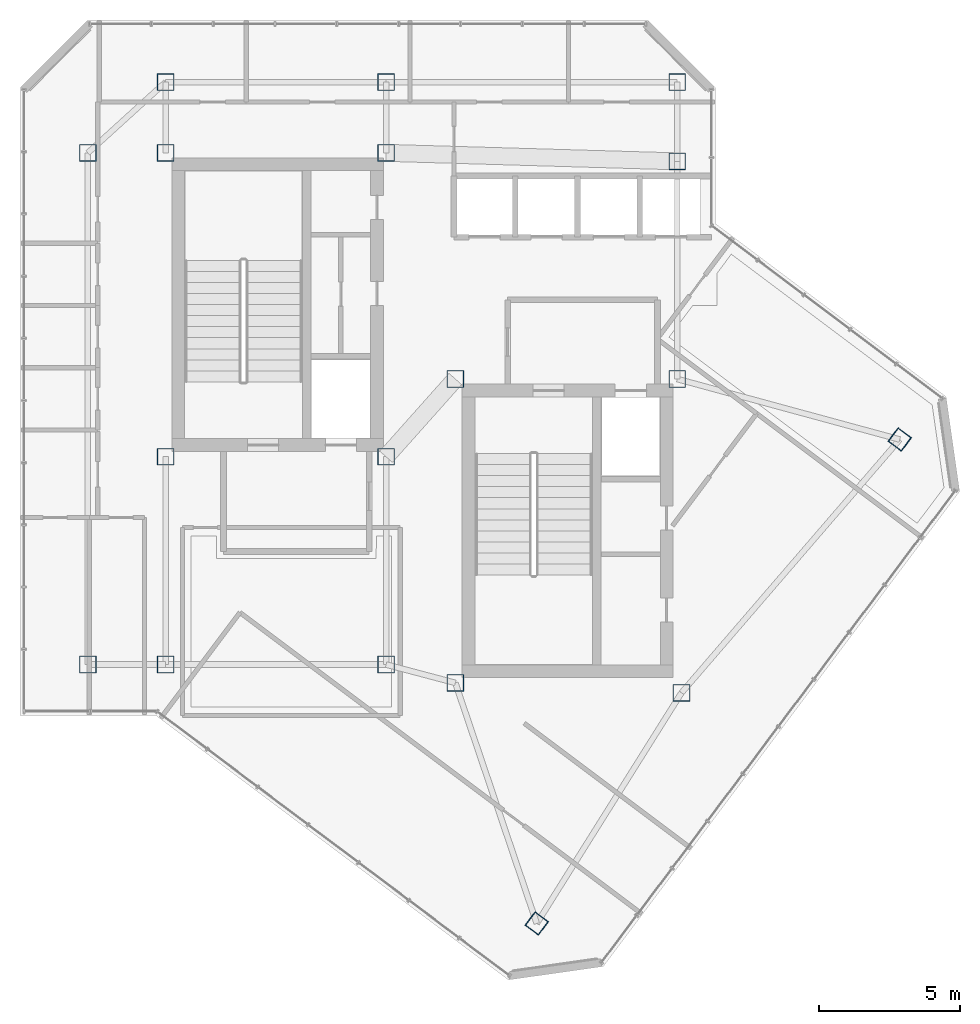
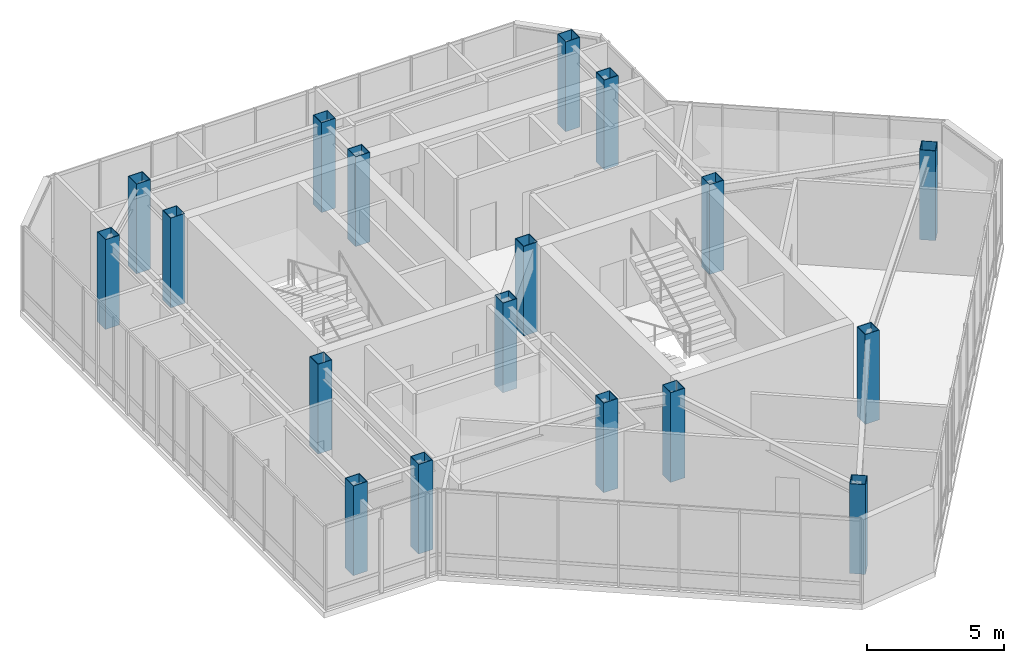
# One storey, part 1 of 29: 18 columns.
"""IFC4 building model written with IfcOpenShell, lengths in metres."""

from ifc_helpers import new_model, si_unit, direction, frame, origin, origin_2d, place, context, subcontext, project, spatial, hollow_rectangle, extrude, material, material_profile, profile_set, type_object, element, save


model = new_model("IFC4")

# Units and contexts
model_context = context("Model", 3, precision=1e-05, world=origin(), true_north=direction((0.0, 1.0)))
body_context = subcontext(model_context, "Body", "Model", "MODEL_VIEW")
ifc_project = project(units=[si_unit("LENGTHUNIT", "METRE"), si_unit("AREAUNIT", "SQUARE_METRE"), si_unit("VOLUMEUNIT", "CUBIC_METRE"), si_unit("PLANEANGLEUNIT", "RADIAN"), si_unit("MASSUNIT", "GRAM", prefix="KILO")], contexts=[model_context])

# Site, building, storey
site_placement = place(None, origin())
site = spatial("IfcSite", under=ifc_project, at=site_placement, CompositionType="ELEMENT")
building_placement = place(site_placement, origin())
building = spatial("IfcBuilding", under=site, at=building_placement, Name="Hatsunagi Terrace Concourse", CompositionType="ELEMENT")
storey_placement = place(building_placement, frame((0.0, 0.0, 277.949951171875)))
storey = spatial("IfcBuildingStorey", under=building, at=storey_placement, Name="L73", CompositionType="ELEMENT", Elevation=277.949951171875)

# Columns
ifc_material = material(Name="Steel BCP325T", Category="steel")
ifc_material_profile = material_profile(ifc_material, hollow_rectangle(XDim=0.60009765625, YDim=0.60009765625, WallThickness=0.02490234375, at=origin_2d()), Name="BCP-600x600x25")
ifc_profile_set = profile_set([ifc_material_profile], Name="Steel BCP325T")
column_type = type_object("IfcColumnType", Name="CrownBoxColumn_600x600x25", PredefinedType="COLUMN", material=ifc_profile_set)
for number, where, z_axis, x_axis, name in (
    (1, (25.550048828125, 32.550048828125, 0.0), (0.0, 0.0, 1.0), (1.0, 0.0, 0.0), "Column C-10 L73-CASW"),
    (2, (33.35009765625, 32.550048828125, 0.0), (0.0, 0.0, 1.0), (1.0, 0.0, 0.0), "Column C-10 L73-CASE"),
    (3, (25.550048828125, 43.300048828125, 0.0), (0.0, 0.0, 1.0), (1.0, 0.0, 0.0), "Column C-10 L73-CANW"),
    (4, (33.35009765625, 43.300048828125, 0.0), (0.0, 0.0, 1.0), (1.0, 0.0, 0.0), "Column C-10 L73-CANE"),
    (5, (35.800048828125, 24.550048828125, 0.0), (0.0, 0.0, 1.0), (1.0, 0.0, 0.0), "Column C-10 L73-CBSW"),
    (6, (43.800048828125, 24.199951171875, 0.0), (0.0, 0.0, 1.0), (1.0, 0.0, 0.0), "Column C-10 L73-CBSE"),
    (7, (35.800048828125, 35.300048828125, 0.0), (0.0, 0.0, 1.0), (1.0, 0.0, 0.0), "Column C-10 L73-CBNW"),
    (8, (43.64990234375, 35.300048828125, 0.0), (0.0, 0.0, 1.0), (1.0, 0.0, 0.0), "Column C-10 L73-CBNE"),
    (9, (25.550048828125, 25.199951171875, 0.0), (0.0, 0.0, 1.0), (1.0, 0.0, 0.0), "Column C-10 L73-K1"),
    (10, (33.35009765625, 25.199951171875, 0.0), (0.0, 0.0, 1.0), (1.0, 0.0, 0.0), "Column C-10 L73-K2"),
    (11, (43.64990234375, 43.0, 0.0), (0.0, 0.0, 1.0), (1.0, 0.0, 0.0), "Column C-10 L73-K3"),
    (12, (25.550048828125, 45.800048828125, 0.0), (0.0, 0.0, 1.0), (1.0, 0.0, 0.0), "Column C-10 L73-CN1"),
    (13, (33.35009765625, 45.800048828125, 0.0), (0.0, 0.0, 1.0), (1.0, 0.0, 0.0), "Column C-10 L73-CN2"),
    (14, (43.64990234375, 45.800048828125, 0.0), (0.0, 0.0, 1.0), (1.0, 0.0, 0.0), "Column C-10 L73-CN3"),
    (15, (22.800048828125, 25.199951171875, 0.0), (0.0, 0.0, 1.0), (1.0, 0.0, 0.0), "Column C-10 L73-CW1"),
    (16, (22.800048828125, 43.300048828125, 0.0), (0.0, 0.0, 1.0), (1.0, 0.0, 0.0), "Column C-10 L73-CW2"),
    (17, (38.679931640625, 16.0400390625, 0.0), (0.0, 0.0, 1.0), (0.799999996291, -0.600000004945, 0.0), "Column C-10 L73-SES1"),
    (18, (51.52001953125, 33.159912109375, 0.0), (0.0, 0.0, 1.0), (0.799999996291, -0.600000004945, 0.0), "Column C-10 L73-SEN1"),
):
    element("IfcColumn", number, at=place(storey_placement, frame(where, z_axis=z_axis, x_axis=x_axis)), inside=storey, type_object=column_type, Name=name, PredefinedType="COLUMN", context=body_context, shape_type="SweptSolid", body=[
        extrude(hollow_rectangle(XDim=0.60009765625, YDim=0.60009765625, WallThickness=0.02490234375, at=origin_2d()), origin(), (0.0, 0.0, 1.0), 4.0),
    ])

save(model, "model.ifc")
